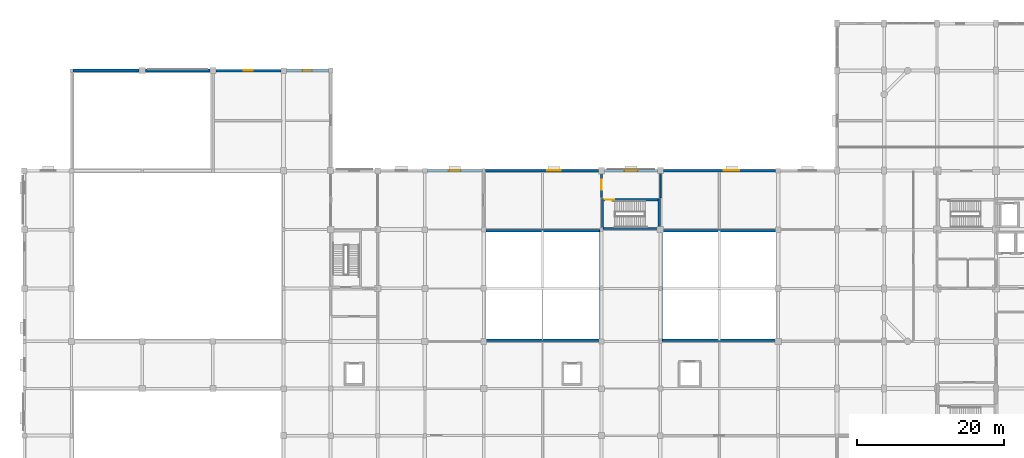
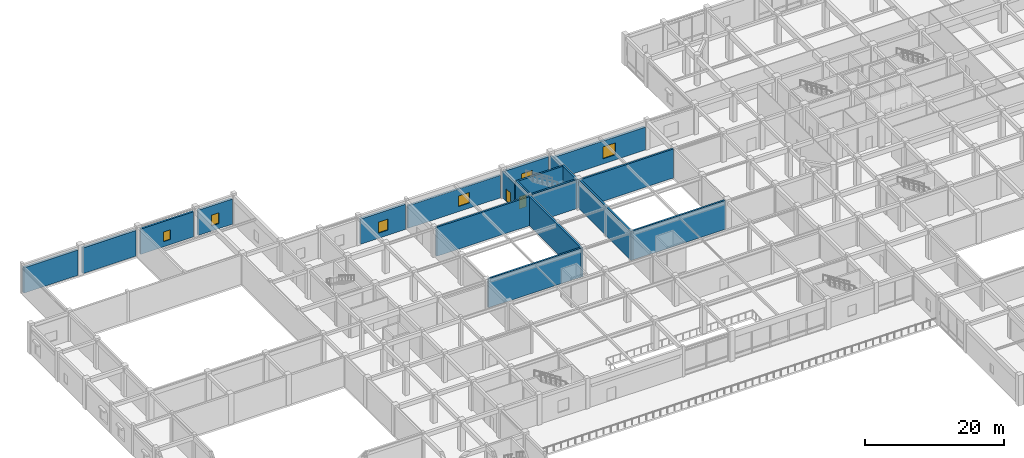
# One storey, part 26 of 36: 20 walls, 6 windows, 2 doors, 8 openings.
"""IFC4 building model written with IfcOpenShell, lengths in metres."""

import ifcopenshell
import ifcopenshell.guid

model = None  # the IFC model being written
_history = None  # IfcOwnerHistory: only IFC2X3 demands one
_inside = {}  # id of a spatial element -> (the spatial element, [elements in it])
_under = {}  # id of a project, library or spatial element -> (it, [spatial elements below it])
_declared = {}  # id of a project -> (the project, [libraries it declares])
_typed = {}  # id of a type object -> (the type object, [elements of that type])
_made_of = {}  # id of a material, layer set ... -> (it, [elements and type objects made of it])


def new_model(schema):
    """Start an empty IFC model of exactly this schema.

    Asked for "IFC4X3", IfcOpenShell would pick the latest addendum, in which some entities
    have other attributes; the version numbers below select the first issue.
    IFC2X3 requires an IfcOwnerHistory on every rooted entity: one is made here for all.
    """
    global model, _history
    if schema == "IFC4X3":
        model = ifcopenshell.file(schema_version=(4, 3, 0, 0))
    else:
        model = ifcopenshell.file(schema=schema)
    _inside.clear()
    _under.clear()
    _declared.clear()
    _typed.clear()
    _made_of.clear()
    _history = None
    if model.schema == "IFC2X3":
        org = make("IfcOrganization", Name="unknown")
        user = make(
            "IfcPersonAndOrganization",
            ThePerson=make("IfcPerson", FamilyName="unknown"),
            TheOrganization=org,
        )
        app = make(
            "IfcApplication",
            ApplicationDeveloper=org,
            Version="unknown",
            ApplicationFullName="unknown",
            ApplicationIdentifier="unknown",
        )
        _history = make(
            "IfcOwnerHistory",
            OwningUser=user,
            OwningApplication=app,
            ChangeAction="ADDED",
            CreationDate=0,
        )
    return model


def make(cls, **values):
    """One entity of the class cls with the attributes given. An attribute that is None is left unset."""
    return model.create_entity(
        cls, **{name: value for name, value in values.items() if value is not None}
    )


def rooted(cls, **values):
    """An entity with a GlobalId (a new one), such as an element, a storey or a relation."""
    return make(cls, GlobalId=ifcopenshell.guid.new(), OwnerHistory=_history, **values)


def si_unit(unit_type, name, prefix=None):
    """IfcSIUnit, for example si_unit("LENGTHUNIT", "METRE", prefix="MILLI")."""
    return make("IfcSIUnit", UnitType=unit_type, Prefix=prefix, Name=name)


def assignment(units):
    """IfcUnitAssignment: the units of a project."""
    return None if units is None else make("IfcUnitAssignment", Units=units)


def point(xyz):
    """IfcCartesianPoint."""
    return None if xyz is None else make("IfcCartesianPoint", Coordinates=xyz)


def direction(xyz):
    """IfcDirection."""
    return None if xyz is None else make("IfcDirection", DirectionRatios=xyz)


def frame(location, z_axis=None, x_axis=None):
    """IfcAxis2Placement3D, a coordinate frame: its origin and axes. An axis left out is left unset."""
    return make(
        "IfcAxis2Placement3D",
        Location=point(location),
        Axis=direction(z_axis),
        RefDirection=direction(x_axis),
    )


def frame_2d(location, x_axis=None):
    """IfcAxis2Placement2D, a coordinate frame in the plane: its origin and x axis."""
    return make(
        "IfcAxis2Placement2D", Location=point(location), RefDirection=direction(x_axis)
    )


def origin():
    """The frame at (0, 0, 0) with its axes left unset."""
    return frame((0.0, 0.0, 0.0))


def place(relative_to, where):
    """IfcLocalPlacement: puts the frame where relative to a parent placement (None: the world)."""
    return make(
        "IfcLocalPlacement", PlacementRelTo=relative_to, RelativePlacement=where
    )


def context(
    kind, dimensions, precision=None, world=None, true_north=None, identifier=None
):
    """IfcGeometricRepresentationContext, for example the 3D "Model" context."""
    return make(
        "IfcGeometricRepresentationContext",
        ContextIdentifier=identifier,
        ContextType=kind,
        CoordinateSpaceDimension=dimensions,
        Precision=precision,
        WorldCoordinateSystem=world,
        TrueNorth=true_north,
    )


def subcontext(parent, identifier, kind, view, scale=None):
    """IfcGeometricRepresentationSubContext, for example "Body" below "Model"."""
    return make(
        "IfcGeometricRepresentationSubContext",
        ContextIdentifier=identifier,
        ContextType=kind,
        ParentContext=parent,
        TargetScale=scale,
        TargetView=view,
    )


def project(units=None, contexts=None):
    """IfcProject with its units and contexts."""
    return rooted(
        "IfcProject",
        Name="project",
        RepresentationContexts=contexts,
        UnitsInContext=assignment(units),
    )


def spatial(cls, under=None, at=None, **own):
    """A site, building, storey or space (cls), placed at a placement, below another one or the project."""
    s = rooted(cls, ObjectPlacement=at, **own)
    if under is not None:
        _under.setdefault(under.id(), (under, []))[1].append(s)
    return s


def profile(cls, at=None, kind="AREA", **sizes):
    """A parametric profile (cls). Its sizes go by their IFC names, for example OverallWidth=200.0."""
    return make(cls, ProfileType=kind, Position=at, **sizes)


def rectangle(**sizes):
    """IfcRectangleProfileDef."""
    return profile("IfcRectangleProfileDef", **sizes)


def extrude(swept, where, along, depth):
    """IfcExtrudedAreaSolid: the profile swept, set in the frame where, extruded along a direction by depth."""
    return make(
        "IfcExtrudedAreaSolid",
        SweptArea=swept,
        Position=where,
        ExtrudedDirection=direction(along),
        Depth=depth,
    )


def shape(context_of_items, identifier, shape_type, items):
    """IfcShapeRepresentation: the items that make up one representation, for example the "Body"."""
    return make(
        "IfcShapeRepresentation",
        ContextOfItems=context_of_items,
        RepresentationIdentifier=identifier,
        RepresentationType=shape_type,
        Items=items,
    )


def material(Name=None, Category=None):
    """IfcMaterial."""
    return make("IfcMaterial", Name=Name, Category=Category)


def layer(
    of_material, thickness, ventilated=None, Name=None, Category=None, Priority=None
):
    """IfcMaterialLayer: one layer of a wall or slab, of a material (None: an air gap)."""
    return make(
        "IfcMaterialLayer",
        Material=of_material,
        LayerThickness=thickness,
        IsVentilated=ventilated,
        Name=Name,
        Category=Category,
        Priority=Priority,
    )


def layer_set(layers, Name=None):
    """IfcMaterialLayerSet."""
    return make("IfcMaterialLayerSet", MaterialLayers=layers, LayerSetName=Name)


def made_of(thing, what):
    """Note that an element or type object is made of a material, layer set ...; save() writes the relation."""
    if what is not None:
        _made_of.setdefault(what.id(), (what, []))[1].append(thing)
    return thing


def type_object(cls, material=None, **own):
    """A type object (cls), such as IfcWallType, which elements share."""
    return made_of(rooted(cls, **own), material)


def element(
    cls,
    number,
    at=None,
    inside=None,
    cuts=None,
    type_object=None,
    material=None,
    context=None,
    identifier="Body",
    shape_type=None,
    held_by="IfcProductDefinitionShape",
    body=None,
    shapes=None,
    **own,
):
    """One element of the class cls, such as IfcWall. Its Tag is "e" and its number.

    at: its placement. inside: the storey or other place that contains it. cuts: it is an
    opening in that element (IfcRelVoidsElement). A single representation is given by context,
    identifier, shape_type and body (its items); several are given by shapes. held_by: the class
    of the entity that holds the representations. save() writes the other relations.
    """
    e = rooted(cls, Tag="e%d" % number, ObjectPlacement=at, **own)
    if body is not None:
        shapes = [shape(context, identifier, shape_type, body)]
    if shapes is not None:
        e.Representation = make(held_by, Representations=shapes)
    if inside is not None:
        _inside.setdefault(inside.id(), (inside, []))[1].append(e)
    if cuts is not None:
        rooted(
            "IfcRelVoidsElement", RelatingBuildingElement=cuts, RelatedOpeningElement=e
        )
    if type_object is not None:
        _typed.setdefault(type_object.id(), (type_object, []))[1].append(e)
    return made_of(e, material)


def fill(opening, filler):
    """IfcRelFillsElement: the door or window that sits in an opening."""
    return rooted(
        "IfcRelFillsElement",
        RelatingOpeningElement=opening,
        RelatedBuildingElement=filler,
    )


def aggregate(whole, parts):
    """IfcRelAggregates: a whole, such as a stair, and the parts it consists of."""
    return rooted("IfcRelAggregates", RelatingObject=whole, RelatedObjects=parts)


def save(model, path):
    """Write the relations noted so far, then the file.

    IfcRelAggregates (storeys below a building ...), IfcRelContainedInSpatialStructure (elements
    in a storey), IfcRelDefinesByType, IfcRelAssociatesMaterial and IfcRelDeclares: one each for
    every whole, place, type object, material and project.
    """
    for whole, parts in _under.values():
        aggregate(whole, parts)
    for where, things in _inside.values():
        rooted(
            "IfcRelContainedInSpatialStructure",
            RelatedElements=things,
            RelatingStructure=where,
        )
    for kind, things in _typed.values():
        rooted("IfcRelDefinesByType", RelatedObjects=things, RelatingType=kind)
    for what, things in _made_of.values():
        rooted("IfcRelAssociatesMaterial", RelatedObjects=things, RelatingMaterial=what)
    for by, libraries in _declared.values():
        rooted("IfcRelDeclares", RelatingContext=by, RelatedDefinitions=libraries)
    model.write(path)


model = new_model("IFC4")

# Units and contexts
model_context = context("Model", 3, precision=1e-05, world=origin(), true_north=direction((0.0, 1.0)))
body_context = subcontext(model_context, "Body", "Model", "MODEL_VIEW")
ifc_project = project(units=[si_unit("LENGTHUNIT", "METRE"), si_unit("AREAUNIT", "SQUARE_METRE"), si_unit("VOLUMEUNIT", "CUBIC_METRE"), si_unit("PLANEANGLEUNIT", "RADIAN"), si_unit("MASSUNIT", "GRAM", prefix="KILO")], contexts=[model_context])

# Site, building, storey
site_placement = place(None, origin())
site = spatial("IfcSite", under=ifc_project, at=site_placement, CompositionType="ELEMENT")
building_placement = place(site_placement, origin())
building = spatial("IfcBuilding", under=site, at=building_placement, Name="Vellmiral Cinema and Media Centre", CompositionType="ELEMENT")
storey_placement = place(building_placement, frame((0.0, 0.0, 5.39990234375)))
storey = spatial("IfcBuildingStorey", under=building, at=storey_placement, Name="L01", CompositionType="ELEMENT", Elevation=5.39990234375)

# Walls
ifc_material_1 = material(Name="Concrete C40/50", Category="concrete")
ifc_layer_1 = layer(ifc_material_1, 0.300048828125, Name="Concrete C40/50")
ifc_layer_set_1 = layer_set([ifc_layer_1], Name="Concrete C40/50")
wall_type_1 = type_object("IfcWallType", Name="WL-CORE-300", PredefinedType="SHEAR", material=ifc_layer_set_1)
for number, where, z_axis, x_axis, name in (
    (1, (62.699951171875, 72.14990234375, 0.0), (0.0, 0.0, 1.0), (1.0, 0.0, 0.0), "Broadcast Studio A Acoustic Wall L01-S"),
    (2, (62.699951171875, 87.050048828125, 0.0), (0.0, 0.0, 1.0), (1.0, 0.0, 0.0), "Broadcast Studio A Acoustic Wall L01-N"),
):
    element("IfcWall", number, at=place(storey_placement, frame(where, z_axis=z_axis, x_axis=x_axis)), inside=storey, type_object=wall_type_1, Name=name, PredefinedType="SHEAR", context=body_context, shape_type="SweptSolid", body=[
        extrude(rectangle(XDim=15.400146484375, YDim=0.300048828125, at=frame_2d((7.7001953125, 0.0))), origin(), (0.0, 0.0, 1.0), 5.10009765625),
    ])
wall_1_placement = place(storey_placement, frame((78.25, 72.0, 0.0), z_axis=(0.0, 0.0, 1.0), x_axis=(0.0, 1.0, 0.0)))
element("IfcWall", 3, at=wall_1_placement, inside=storey, type_object=wall_type_1, Name="Broadcast Studio A Acoustic Wall L01-E", PredefinedType="SHEAR", context=body_context, shape_type="SweptSolid", body=[
    extrude(rectangle(XDim=15.199951171875, YDim=0.300048828125, at=frame_2d((7.60009765625, 0.0))), origin(), (0.0, 0.0, 1.0), 5.10009765625),
])
for number, where, z_axis, x_axis, name in (
    (4, (86.699951171875, 72.14990234375, 0.0), (0.0, 0.0, 1.0), (1.0, 0.0, 0.0), "Broadcast Studio B Acoustic Wall L01-S"),
    (5, (86.699951171875, 87.050048828125, 0.0), (0.0, 0.0, 1.0), (1.0, 0.0, 0.0), "Broadcast Studio B Acoustic Wall L01-N"),
):
    element("IfcWall", number, at=place(storey_placement, frame(where, z_axis=z_axis, x_axis=x_axis)), inside=storey, type_object=wall_type_1, Name=name, PredefinedType="SHEAR", context=body_context, shape_type="SweptSolid", body=[
        extrude(rectangle(XDim=15.400146484375, YDim=0.300048828125, at=frame_2d((7.7001953125, 0.0))), origin(), (0.0, 0.0, 1.0), 5.10009765625),
    ])
wall_2_placement = place(storey_placement, frame((86.550048828125, 72.0, 0.0), z_axis=(0.0, 0.0, 1.0), x_axis=(0.0, 1.0, 0.0)))
element("IfcWall", 6, at=wall_2_placement, inside=storey, type_object=wall_type_1, Name="Broadcast Studio B Acoustic Wall L01-W", PredefinedType="SHEAR", context=body_context, shape_type="SweptSolid", body=[
    extrude(rectangle(XDim=15.199951171875, YDim=0.300048828125, at=frame_2d((7.60009765625, 0.0))), origin(), (0.0, 0.0, 1.0), 5.10009765625),
])
for number, where, z_axis, x_axis, name in (
    (7, (78.550048828125, 87.199951171875, 0.0), (0.0, 0.0, 1.0), (0.0, 1.0, 0.0), "Stair Core Wall ST-P5 L01-W"),
    (8, (86.25, 87.199951171875, 0.0), (0.0, 0.0, 1.0), (0.0, 1.0, 0.0), "Stair Core Wall ST-P5 L01-E"),
):
    element("IfcWall", number, at=place(storey_placement, frame(where, z_axis=z_axis, x_axis=x_axis)), inside=storey, type_object=wall_type_1, Name=name, PredefinedType="SHEAR", context=body_context, shape_type="SweptSolid", body=[
        extrude(rectangle(XDim=4.199951171875, YDim=0.300048828125, at=frame_2d((2.10009765625, 0.0))), origin(), (0.0, 0.0, 1.0), 5.10009765625),
    ])
wall_3_placement = place(storey_placement, frame((78.699951171875, 87.35009765625, 0.0), z_axis=(0.0, 0.0, 1.0), x_axis=(1.0, 0.0, 0.0)))
element("IfcWall", 9, at=wall_3_placement, inside=storey, type_object=wall_type_1, Name="Stair Core Wall ST-P5 L01-S", PredefinedType="SHEAR", context=body_context, shape_type="SweptSolid", body=[
    extrude(rectangle(XDim=7.400146484375, YDim=0.300048828125, at=frame_2d((3.7001953125, 0.0))), origin(), (0.0, 0.0, 1.0), 5.10009765625),
])

# Wall, opening, door
wall_4_placement = place(storey_placement, frame((78.699951171875, 91.25, 0.0), z_axis=(0.0, 0.0, 1.0), x_axis=(1.0, 0.0, 0.0)))
wall_4 = element("IfcWall", 10, at=wall_4_placement, inside=storey, type_object=wall_type_1, Name="Stair Core Wall ST-P5 L01-N", PredefinedType="SHEAR", context=body_context, shape_type="SweptSolid", body=[
    extrude(rectangle(XDim=7.400146484375, YDim=0.300048828125, at=frame_2d((3.7001953125, 0.0))), origin(), (0.0, 0.0, 1.0), 5.10009765625),
])
opening_1_placement = place(wall_4_placement, frame((0.159912109375, 0.0, 0.0)))
opening_1 = element("IfcOpeningElement", 11, at=opening_1_placement, cuts=wall_4, Name="Opening D-FD30A", PredefinedType="OPENING", context=body_context, shape_type="SweptSolid", body=[
    extrude(rectangle(XDim=1.300048828125, YDim=2.179931640625, at=frame_2d((0.64990234375, 1.08984375))), frame((0.0, 0.162109375, 0.0), z_axis=(0.0, -1.0, 0.0), x_axis=(1.0, 0.0, 0.0)), (0.0, 0.0, 1.0), 0.323974609375),
])
ifc_material_2 = material(Name="Steel Stair Fire Door", Category="steel")
door_type_1 = type_object("IfcDoorType", Name="DR-FD30-1300x2180", OperationType="NOTDEFINED", PredefinedType="DOOR", material=ifc_material_2)
door_1_placement = place(opening_1_placement, frame((1.300048828125, 0.0, 0.0), z_axis=(0.0, 0.0, 1.0), x_axis=(-1.0, 0.0, 0.0)))
door_1 = element("IfcDoor", 12, at=door_1_placement, inside=storey, type_object=door_type_1, Name="Protected Stair Door ST-P5 L01", OperationType="SINGLE_SWING_RIGHT", OverallHeight=2.179931640625, OverallWidth=1.300048828125, PredefinedType="DOOR", context=body_context, shape_type="SweptSolid", body=[
    extrude(rectangle(XDim=1.300048828125, YDim=2.179931640625, at=frame_2d((0.64990234375, 1.08984375))), frame((0.0, 0.02490234375, 0.0), z_axis=(0.0, -1.0, 0.0), x_axis=(1.0, 0.0, 0.0)), (0.0, 0.0, 1.0), 0.050048828125),
])
fill(opening_1, door_1)

# Wall, opening, window
ifc_material_3 = material(Name="Polychrome Glazed Ceramic Cladding", Category="masonry")
ifc_layer_2 = layer(ifc_material_3, 0.320068359375, Name="Polychrome Glazed Ceramic Cladding")
ifc_layer_set_2 = layer_set([ifc_layer_2], Name="Polychrome Glazed Ceramic Cladding")
wall_type_2 = type_object("IfcWallType", Name="WL-EXT-BRICK-320", PredefinedType="SOLIDWALL", material=ifc_layer_set_2)
wall_5_placement = place(storey_placement, frame((77.97509765625, 95.199951171875, 0.0), z_axis=(0.0, 0.0, 1.0), x_axis=(-1.0, 0.0, 0.0)))
wall_5 = element("IfcWall", 13, at=wall_5_placement, inside=storey, type_object=wall_type_2, Name="Exterior Facade Wall L01-057", PredefinedType="SOLIDWALL", context=body_context, shape_type="SweptSolid", body=[
    extrude(rectangle(XDim=15.375, YDim=0.320068359375, at=frame_2d((7.6875, 0.0))), origin(), (0.0, 0.0, 1.0), 3.97509765625),
])
opening_2_placement = place(wall_5_placement, frame((5.137451171875, 0.0, 0.89990234375)))
opening_2 = element("IfcOpeningElement", 14, at=opening_2_placement, cuts=wall_5, Name="Opening WN-04", PredefinedType="OPENING", context=body_context, shape_type="SweptSolid", body=[
    extrude(rectangle(XDim=1.800048828125, YDim=1.85009765625, at=frame_2d((0.89990234375, 0.925048828125))), frame((0.0, 0.171875, 0.0), z_axis=(0.0, -1.0, 0.0), x_axis=(1.0, 0.0, 0.0)), (0.0, 0.0, 1.0), 0.343994140625),
])
ifc_material_4 = material(Name="Thermally Broken Aluminium Triple Glazing", Category="aluminium")
window_type_1 = type_object("IfcWindowType", Name="WN-1800x1850", PartitioningType="DOUBLE_PANEL_VERTICAL", PredefinedType="WINDOW", material=ifc_material_4)
window_1_placement = place(opening_2_placement, origin())
window_1 = element("IfcWindow", 15, at=window_1_placement, inside=storey, type_object=window_type_1, Name="Window L01-057", OverallHeight=1.85009765625, OverallWidth=1.800048828125, PartitioningType="DOUBLE_PANEL_VERTICAL", PredefinedType="WINDOW", context=body_context, shape_type="SweptSolid", body=[
    extrude(rectangle(XDim=1.800048828125, YDim=1.85009765625, at=frame_2d((0.89990234375, 0.925048828125))), frame((0.0, 0.030029296875, 0.0), z_axis=(0.0, -1.0, 0.0), x_axis=(1.0, 0.0, 0.0)), (0.0, 0.0, 1.0), 0.06005859375),
])
fill(opening_2, window_1)

wall_6_placement = place(storey_placement, frame((34.824951171875, 108.800048828125, 0.0), z_axis=(0.0, 0.0, 1.0), x_axis=(-1.0, 0.0, 0.0)))
wall_6 = element("IfcWall", 16, at=wall_6_placement, inside=storey, type_object=wall_type_2, Name="Exterior Facade Wall L01-063", PredefinedType="SOLIDWALL", context=body_context, shape_type="SweptSolid", body=[
    extrude(rectangle(XDim=8.824951171875, YDim=0.320068359375, at=frame_2d((4.41259765625, 0.0))), origin(), (0.0, 0.0, 1.0), 4.440185546875),
])
opening_3_placement = place(wall_6_placement, frame((3.8125, 0.0, 0.89990234375)))
opening_3 = element("IfcOpeningElement", 17, at=opening_3_placement, cuts=wall_6, Name="Opening WN-10", PredefinedType="OPENING", context=body_context, shape_type="SweptSolid", body=[
    extrude(rectangle(XDim=1.199951171875, YDim=1.699951171875, at=frame_2d((0.60009765625, 0.85009765625))), frame((0.0, 0.171875, 0.0), z_axis=(0.0, -1.0, 0.0), x_axis=(1.0, 0.0, 0.0)), (0.0, 0.0, 1.0), 0.343994140625),
])
ifc_material_5 = material(Name="Thermally Broken Aluminium Triple Glazing", Category="aluminium")
window_type_2 = type_object("IfcWindowType", Name="WN-1200x1700", PartitioningType="SINGLE_PANEL", PredefinedType="WINDOW", material=ifc_material_5)
window_2_placement = place(opening_3_placement, origin())
window_2 = element("IfcWindow", 18, at=window_2_placement, inside=storey, type_object=window_type_2, Name="Window L01-063", OverallHeight=1.699951171875, OverallWidth=1.199951171875, PartitioningType="SINGLE_PANEL", PredefinedType="WINDOW", context=body_context, shape_type="SweptSolid", body=[
    extrude(rectangle(XDim=1.199951171875, YDim=1.699951171875, at=frame_2d((0.60009765625, 0.85009765625))), frame((0.0, 0.030029296875, 0.0), z_axis=(0.0, -1.0, 0.0), x_axis=(1.0, 0.0, 0.0)), (0.0, 0.0, 1.0), 0.06005859375),
])
fill(opening_3, window_2)

ifc_material_6 = material(Name="Vosges Red Sandstone Masonry", Category="masonry")
ifc_layer_3 = layer(ifc_material_6, 0.3798828125, Name="Vosges Red Sandstone Masonry")
ifc_layer_set_3 = layer_set([ifc_layer_3], Name="Vosges Red Sandstone Masonry")
wall_type_3 = type_object("IfcWallType", Name="WL-EXT-SAND-380", PredefinedType="SOLIDWALL", material=ifc_layer_set_3)
wall_7_placement = place(storey_placement, frame((102.074951171875, 95.199951171875, 0.0), z_axis=(0.0, 0.0, 1.0), x_axis=(-1.0, 0.0, 0.0)))
wall_7 = element("IfcWall", 19, at=wall_7_placement, inside=storey, type_object=wall_type_3, Name="Exterior Facade Wall L01-055", PredefinedType="SOLIDWALL", context=body_context, shape_type="SweptSolid", body=[
    extrude(rectangle(XDim=15.27490234375, YDim=0.3798828125, at=frame_2d((7.637451171875, 0.0))), origin(), (0.0, 0.0, 1.0), 4.025146484375),
])
opening_4_placement = place(wall_7_placement, frame((4.9375, 0.0, 0.89990234375)))
opening_4 = element("IfcOpeningElement", 20, at=opening_4_placement, cuts=wall_7, Name="Opening WN-02", PredefinedType="OPENING", context=body_context, shape_type="SweptSolid", body=[
    extrude(rectangle(XDim=2.10009765625, YDim=2.10009765625, at=frame_2d((1.050048828125, 1.050048828125))), frame((0.0, 0.201904296875, 0.0), z_axis=(0.0, -1.0, 0.0), x_axis=(1.0, 0.0, 0.0)), (0.0, 0.0, 1.0), 0.40380859375),
])
ifc_material_7 = material(Name="Thermally Broken Aluminium Triple Glazing", Category="aluminium")
window_type_3 = type_object("IfcWindowType", Name="WN-2100x2100", PartitioningType="DOUBLE_PANEL_VERTICAL", PredefinedType="WINDOW", material=ifc_material_7)
window_3_placement = place(opening_4_placement, origin())
window_3 = element("IfcWindow", 21, at=window_3_placement, inside=storey, type_object=window_type_3, Name="Window L01-055", OverallHeight=2.10009765625, OverallWidth=2.10009765625, PartitioningType="DOUBLE_PANEL_VERTICAL", PredefinedType="WINDOW", context=body_context, shape_type="SweptSolid", body=[
    extrude(rectangle(XDim=2.10009765625, YDim=2.10009765625, at=frame_2d((1.050048828125, 1.050048828125))), frame((0.0, 0.030029296875, 0.0), z_axis=(0.0, -1.0, 0.0), x_axis=(1.0, 0.0, 0.0)), (0.0, 0.0, 1.0), 0.06005859375),
])
fill(opening_4, window_3)

wall_8_placement = place(storey_placement, frame((86.0, 95.199951171875, 0.0), z_axis=(0.0, 0.0, 1.0), x_axis=(-1.0, 0.0, 0.0)))
wall_8 = element("IfcWall", 22, at=wall_8_placement, inside=storey, type_object=wall_type_3, Name="Exterior Facade Wall L01-056", PredefinedType="SOLIDWALL", context=body_context, shape_type="SweptSolid", body=[
    extrude(rectangle(XDim=7.175048828125, YDim=0.3798828125, at=frame_2d((3.58740234375, 0.0))), origin(), (0.0, 0.0, 1.0), 4.455078125),
])
opening_5_placement = place(wall_8_placement, frame((2.6875, 0.0, 0.89990234375)))
opening_5 = element("IfcOpeningElement", 23, at=opening_5_placement, cuts=wall_8, Name="Opening WN-03", PredefinedType="OPENING", context=body_context, shape_type="SweptSolid", body=[
    extrude(rectangle(XDim=1.800048828125, YDim=2.10009765625, at=frame_2d((0.89990234375, 1.050048828125))), frame((0.0, 0.201904296875, 0.0), z_axis=(0.0, -1.0, 0.0), x_axis=(1.0, 0.0, 0.0)), (0.0, 0.0, 1.0), 0.40380859375),
])
ifc_material_8 = material(Name="Thermally Broken Aluminium Triple Glazing", Category="aluminium")
window_type_4 = type_object("IfcWindowType", Name="WN-1800x2100", PartitioningType="DOUBLE_PANEL_VERTICAL", PredefinedType="WINDOW", material=ifc_material_8)
window_4_placement = place(opening_5_placement, origin())
window_4 = element("IfcWindow", 24, at=window_4_placement, inside=storey, type_object=window_type_4, Name="Window L01-056", OverallHeight=2.10009765625, OverallWidth=1.800048828125, PartitioningType="DOUBLE_PANEL_VERTICAL", PredefinedType="WINDOW", context=body_context, shape_type="SweptSolid", body=[
    extrude(rectangle(XDim=1.800048828125, YDim=2.10009765625, at=frame_2d((0.89990234375, 1.050048828125))), frame((0.0, 0.030029296875, 0.0), z_axis=(0.0, -1.0, 0.0), x_axis=(1.0, 0.0, 0.0)), (0.0, 0.0, 1.0), 0.06005859375),
])
fill(opening_5, window_4)

wall_9_placement = place(storey_placement, frame((62.199951171875, 95.199951171875, 0.0), z_axis=(0.0, 0.0, 1.0), x_axis=(-1.0, 0.0, 0.0)))
wall_9 = element("IfcWall", 25, at=wall_9_placement, inside=storey, type_object=wall_type_3, Name="Exterior Facade Wall L01-058", PredefinedType="SOLIDWALL", context=body_context, shape_type="SweptSolid", body=[
    extrude(rectangle(XDim=7.474853515625, YDim=0.3798828125, at=frame_2d((3.7373046875, 0.0))), origin(), (0.0, 0.0, 1.0), 4.425048828125),
])
opening_6_placement = place(wall_9_placement, frame((2.9375, 0.0, 0.89990234375)))
opening_6 = element("IfcOpeningElement", 26, at=opening_6_placement, cuts=wall_9, Name="Opening WN-05", PredefinedType="OPENING", context=body_context, shape_type="SweptSolid", body=[
    extrude(rectangle(XDim=1.60009765625, YDim=1.949951171875, at=frame_2d((0.800048828125, 0.97509765625))), frame((0.0, 0.201904296875, 0.0), z_axis=(0.0, -1.0, 0.0), x_axis=(1.0, 0.0, 0.0)), (0.0, 0.0, 1.0), 0.40380859375),
])
ifc_material_9 = material(Name="Thermally Broken Aluminium Triple Glazing", Category="aluminium")
window_type_5 = type_object("IfcWindowType", Name="WN-1600x1950", PartitioningType="DOUBLE_PANEL_VERTICAL", PredefinedType="WINDOW", material=ifc_material_9)
window_5_placement = place(opening_6_placement, origin())
window_5 = element("IfcWindow", 27, at=window_5_placement, inside=storey, type_object=window_type_5, Name="Window L01-058", OverallHeight=1.949951171875, OverallWidth=1.60009765625, PartitioningType="DOUBLE_PANEL_VERTICAL", PredefinedType="WINDOW", context=body_context, shape_type="SweptSolid", body=[
    extrude(rectangle(XDim=1.60009765625, YDim=1.949951171875, at=frame_2d((0.800048828125, 0.97509765625))), frame((0.0, 0.030029296875, 0.0), z_axis=(0.0, -1.0, 0.0), x_axis=(1.0, 0.0, 0.0)), (0.0, 0.0, 1.0), 0.06005859375),
])
fill(opening_6, window_5)

wall_10_placement = place(storey_placement, frame((41.27490234375, 108.800048828125, 0.0), z_axis=(0.0, 0.0, 1.0), x_axis=(-1.0, 0.0, 0.0)))
wall_10 = element("IfcWall", 28, at=wall_10_placement, inside=storey, type_object=wall_type_3, Name="Exterior Facade Wall L01-062", PredefinedType="SOLIDWALL", context=body_context, shape_type="SweptSolid", body=[
    extrude(rectangle(XDim=5.699951171875, YDim=0.3798828125, at=frame_2d((2.85009765625, 0.0))), origin(), (0.0, 0.0, 1.0), 4.425048828125),
])
opening_7_placement = place(wall_10_placement, frame((2.22509765625, 0.0, 0.89990234375)))
opening_7 = element("IfcOpeningElement", 29, at=opening_7_placement, cuts=wall_10, Name="Opening WN-09", PredefinedType="OPENING", context=body_context, shape_type="SweptSolid", body=[
    extrude(rectangle(XDim=1.25, YDim=1.89990234375, at=frame_2d((0.625, 0.949951171875))), frame((0.0, 0.201904296875, 0.0), z_axis=(0.0, -1.0, 0.0), x_axis=(1.0, 0.0, 0.0)), (0.0, 0.0, 1.0), 0.40380859375),
])
ifc_material_10 = material(Name="Thermally Broken Aluminium Triple Glazing", Category="aluminium")
window_type_6 = type_object("IfcWindowType", Name="WN-1250x1900", PartitioningType="SINGLE_PANEL", PredefinedType="WINDOW", material=ifc_material_10)
window_6_placement = place(opening_7_placement, origin())
window_6 = element("IfcWindow", 30, at=window_6_placement, inside=storey, type_object=window_type_6, Name="Window L01-062", OverallHeight=1.89990234375, OverallWidth=1.25, PartitioningType="SINGLE_PANEL", PredefinedType="WINDOW", context=body_context, shape_type="SweptSolid", body=[
    extrude(rectangle(XDim=1.25, YDim=1.89990234375, at=frame_2d((0.625, 0.949951171875))), frame((0.0, 0.030029296875, 0.0), z_axis=(0.0, -1.0, 0.0), x_axis=(1.0, 0.0, 0.0)), (0.0, 0.0, 1.0), 0.06005859375),
])
fill(opening_7, window_6)

# Walls
wall_11_placement = place(storey_placement, frame((25.199951171875, 108.800048828125, 0.0), z_axis=(0.0, 0.0, 1.0), x_axis=(-1.0, 0.0, 0.0)))
element("IfcWall", 31, at=wall_11_placement, inside=storey, type_object=wall_type_3, Name="Exterior Facade Wall L01-064", PredefinedType="SOLIDWALL", context=body_context, shape_type="SweptSolid", body=[
    extrude(rectangle(XDim=8.77490234375, YDim=0.3798828125, at=frame_2d((4.387451171875, 0.0))), origin(), (0.0, 0.0, 1.0), 4.51513671875),
])
wall_12_placement = place(storey_placement, frame((15.574951171875, 108.800048828125, 0.0), z_axis=(0.0, 0.0, 1.0), x_axis=(-1.0, 0.0, 0.0)))
element("IfcWall", 32, at=wall_12_placement, inside=storey, type_object=wall_type_3, Name="Exterior Facade Wall L01-065", PredefinedType="SOLIDWALL", context=body_context, shape_type="SweptSolid", body=[
    extrude(rectangle(XDim=8.974853515625, YDim=0.3798828125, at=frame_2d((4.4873046875, 0.0))), origin(), (0.0, 0.0, 1.0), 4.455078125),
])

# Wall, opening, door
ifc_material_11 = material(Name="Concrete C40/50", Category="concrete")
ifc_layer_4 = layer(ifc_material_11, 0.22998046875, Name="Concrete C40/50")
ifc_layer_set_4 = layer_set([ifc_layer_4], Name="Concrete C40/50")
wall_type_4 = type_object("IfcWallType", Name="WL-FFL-230", PredefinedType="SOLIDWALL", material=ifc_layer_set_4)
wall_13_placement = place(storey_placement, frame((78.39990234375, 91.5400390625, 0.0), z_axis=(0.0, 0.0, 1.0), x_axis=(0.0, 1.0, 0.0)))
wall_13 = element("IfcWall", 33, at=wall_13_placement, inside=storey, type_object=wall_type_4, Name="Firefighting Stair Lobby ST-P5 Wall W", PredefinedType="SOLIDWALL", context=body_context, shape_type="SweptSolid", body=[
    extrude(rectangle(XDim=3.554931640625, YDim=0.22998046875, at=frame_2d((1.77734375, 0.0))), origin(), (0.0, 0.0, 1.0), 4.53515625),
])
opening_8_placement = place(wall_13_placement, frame((1.06005859375, 0.0, 0.0)))
opening_8 = element("IfcOpeningElement", 34, at=opening_8_placement, cuts=wall_13, Name="Opening D-FD60B", PredefinedType="OPENING", context=body_context, shape_type="SweptSolid", body=[
    extrude(rectangle(XDim=1.39990234375, YDim=2.199951171875, at=frame_2d((0.699951171875, 1.10009765625))), frame((0.0, 0.126953125, 0.0), z_axis=(0.0, -1.0, 0.0), x_axis=(1.0, 0.0, 0.0)), (0.0, 0.0, 1.0), 0.25390625),
])
ifc_material_12 = material(Name="Steel Fire Door", Category="steel")
door_type_2 = type_object("IfcDoorType", Name="DR-FD60-1400x2200", OperationType="NOTDEFINED", PredefinedType="DOOR", material=ifc_material_12)
door_2_placement = place(opening_8_placement, frame((1.39990234375, 0.0, 0.0), z_axis=(0.0, 0.0, 1.0), x_axis=(-1.0, 0.0, 0.0)))
door_2 = element("IfcDoor", 35, at=door_2_placement, inside=storey, type_object=door_type_2, Name="Firefighting Stair Lobby ST-P5 Door", OperationType="SINGLE_SWING_LEFT", OverallHeight=2.199951171875, OverallWidth=1.39990234375, PredefinedType="DOOR", context=body_context, shape_type="SweptSolid", body=[
    extrude(rectangle(XDim=1.39990234375, YDim=2.199951171875, at=frame_2d((0.699951171875, 1.10009765625))), frame((0.0, 0.02490234375, 0.0), z_axis=(0.0, -1.0, 0.0), x_axis=(1.0, 0.0, 0.0)), (0.0, 0.0, 1.0), 0.050048828125),
])
fill(opening_8, door_2)

# Wall
wall_14_placement = place(storey_placement, frame((86.39990234375, 91.5400390625, 0.0), z_axis=(0.0, 0.0, 1.0), x_axis=(0.0, 1.0, 0.0)))
element("IfcWall", 36, at=wall_14_placement, inside=storey, type_object=wall_type_4, Name="Firefighting Stair Lobby ST-P5 Wall E", PredefinedType="SOLIDWALL", context=body_context, shape_type="SweptSolid", body=[
    extrude(rectangle(XDim=3.554931640625, YDim=0.22998046875, at=frame_2d((1.77734375, 0.0))), origin(), (0.0, 0.0, 1.0), 4.43505859375),
])

save(model, "model.ifc")
